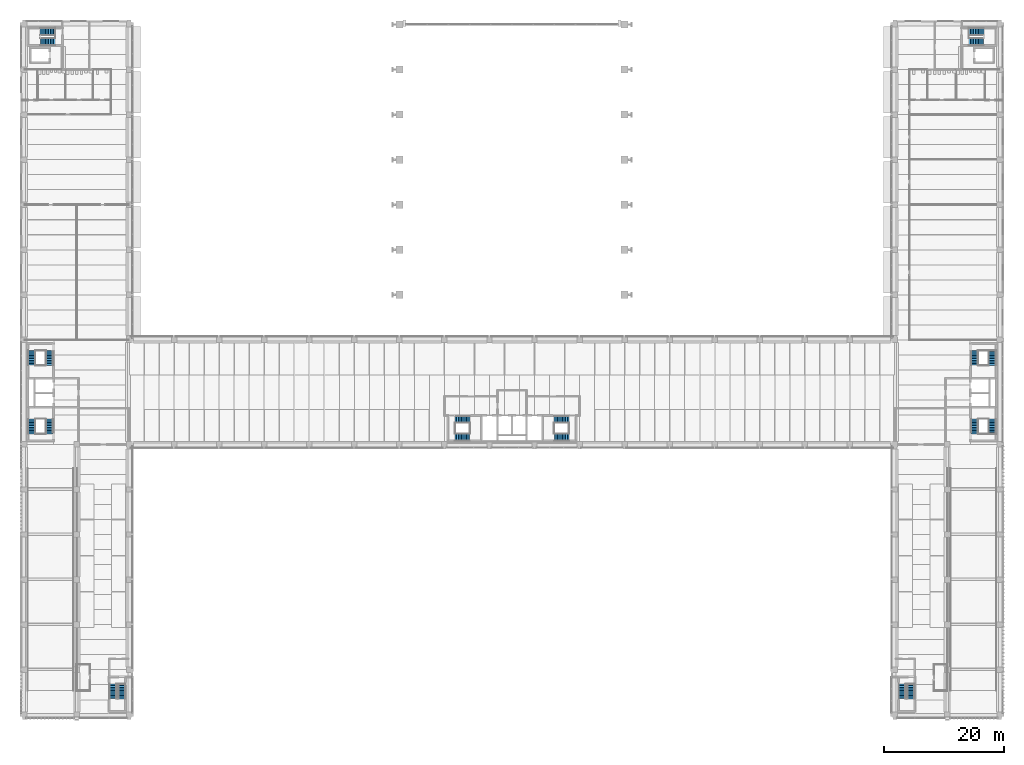
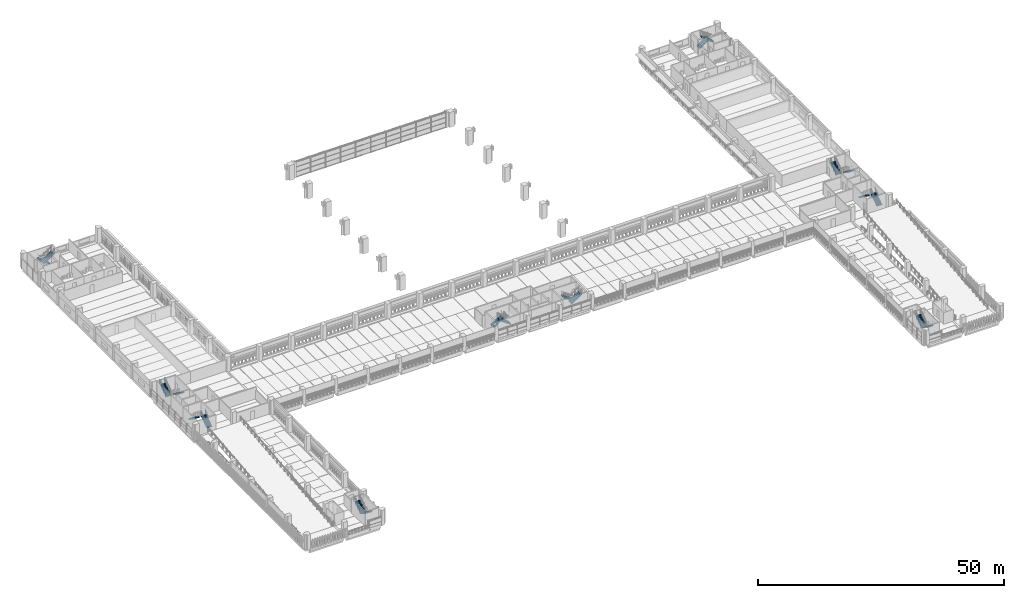
# One storey, part 36 of 57: 20 stair flights, 10 elements without a shape of their own.
"""IFC4 building model written with IfcOpenShell, lengths in metres."""

from ifc_helpers import new_model, si_unit, direction, frame, origin, place, context, subcontext, project, spatial, polyline, outline, extrude, material, type_object, element, aggregate, save


model = new_model("IFC4")

# Units and contexts
model_context = context("Model", 3, precision=1e-05, world=origin(), true_north=direction((0.0, 1.0)))
body_context = subcontext(model_context, "Body", "Model", "MODEL_VIEW")
ifc_project = project(units=[si_unit("LENGTHUNIT", "METRE"), si_unit("AREAUNIT", "SQUARE_METRE"), si_unit("VOLUMEUNIT", "CUBIC_METRE"), si_unit("PLANEANGLEUNIT", "RADIAN"), si_unit("MASSUNIT", "GRAM", prefix="KILO")], contexts=[model_context])

# Site, building, storey
site_placement = place(None, origin())
site = spatial("IfcSite", under=ifc_project, at=site_placement, CompositionType="ELEMENT")
building_placement = place(site_placement, origin())
building = spatial("IfcBuilding", under=site, at=building_placement, Name="Cour d'Honneur Mobility Palace", CompositionType="ELEMENT")
storey_placement = place(building_placement, frame((0.0, 0.0, 8.199951171875)))
storey = spatial("IfcBuildingStorey", under=building, at=storey_placement, Name="L02", CompositionType="ELEMENT", Elevation=8.199951171875)

# Stair, stair flights
ifc_material_1 = material(Name="Concrete C50", Category="concrete")
stair_type = type_object("IfcStairType", Name="Stair 20 risers", PredefinedType="HALF_TURN_STAIR", material=ifc_material_1)
stair_1_placement = place(storey_placement, origin())
stair_1 = element("IfcStair", 1, at=stair_1_placement, inside=storey, type_object=stair_type, Name="Stair ST-CW1", PredefinedType="HALF_TURN_STAIR")
ifc_material_2 = material(Name="Concrete C50", Category="concrete")
stair_flight_type = type_object("IfcStairFlightType", Name="Stair flight 1250", PredefinedType="STRAIGHT", material=ifc_material_2)
stair_flight_1_placement = place(storey_placement, frame((4.175048828125, 46.77490234375, 0.0), z_axis=(0.0, 0.0, 1.0), x_axis=(0.0, 1.0, 0.0)))
stair_flight_1 = element("IfcStairFlight", 2, at=stair_flight_1_placement, type_object=stair_flight_type, Name="ST-CW1 flight 1", NumberOfRisers=10, NumberOfTreads=9, PredefinedType="STRAIGHT", RiserHeight=0.185, TreadLength=0.27, context=body_context, shape_type="SweptSolid", body=[
    extrude(outline(polyline([(0.0, 0.0), (0.0, 0.18505859375), (0.27001953125, 0.18505859375), (0.27001953125, 0.3701171875), (0.5400390625, 0.3701171875), (0.5400390625, 0.554931640625), (0.81005859375, 0.554931640625), (0.81005859375, 0.739990234375), (1.080078125, 0.739990234375), (1.080078125, 0.925048828125), (1.35009765625, 0.925048828125), (1.35009765625, 1.110107421875), (1.6201171875, 1.110107421875), (1.6201171875, 1.294921875), (1.889892578125, 1.294921875), (1.889892578125, 1.47998046875), (2.159912109375, 1.47998046875), (2.159912109375, 1.6650390625), (2.429931640625, 1.6650390625), (2.47998046875, 1.6650390625), (2.47998046875, 1.4833984375), (0.26513671875, 0.0), (0.0, 0.0)])), frame((0.0, 0.625, 0.0), z_axis=(0.0, -1.0, 0.0), x_axis=(1.0, 0.0, 0.0)), (0.0, 0.0, 1.0), 1.25),
])
stair_flight_2_placement = place(storey_placement, frame((1.199951171875, 49.205078125, 1.85009765625), z_axis=(0.0, 0.0, 1.0), x_axis=(0.0, -1.0, 0.0)))
stair_flight_2 = element("IfcStairFlight", 3, at=stair_flight_2_placement, type_object=stair_flight_type, Name="ST-CW1 flight 2", NumberOfRisers=10, NumberOfTreads=9, PredefinedType="STRAIGHT", RiserHeight=0.185, TreadLength=0.27, context=body_context, shape_type="SweptSolid", body=[
    extrude(outline(polyline([(0.0, 0.0), (0.0, 0.18505859375), (0.27001953125, 0.18505859375), (0.27001953125, 0.3701171875), (0.5400390625, 0.3701171875), (0.5400390625, 0.554931640625), (0.81005859375, 0.554931640625), (0.81005859375, 0.739990234375), (1.080078125, 0.739990234375), (1.080078125, 0.925048828125), (1.35009765625, 0.925048828125), (1.35009765625, 1.110107421875), (1.6201171875, 1.110107421875), (1.6201171875, 1.294921875), (1.889892578125, 1.294921875), (1.889892578125, 1.47998046875), (2.159912109375, 1.47998046875), (2.159912109375, 1.6650390625), (2.429931640625, 1.6650390625), (2.47998046875, 1.6650390625), (2.47998046875, 1.4833984375), (0.26513671875, 0.0), (0.0, 0.0)])), frame((0.0, 0.625, 0.0), z_axis=(0.0, -1.0, 0.0), x_axis=(1.0, 0.0, 0.0)), (0.0, 0.0, 1.0), 1.25),
])
aggregate(stair_1, [stair_flight_1, stair_flight_2])

stair_2_placement = place(storey_placement, origin())
stair_2 = element("IfcStair", 4, at=stair_2_placement, inside=storey, type_object=stair_type, Name="Stair ST-CW2", PredefinedType="HALF_TURN_STAIR")
stair_flight_3_placement = place(storey_placement, frame((4.175048828125, 60.625, 0.0), z_axis=(0.0, 0.0, 1.0), x_axis=(0.0, -1.0, 0.0)))
stair_flight_3 = element("IfcStairFlight", 5, at=stair_flight_3_placement, type_object=stair_flight_type, Name="ST-CW2 flight 1", NumberOfRisers=10, NumberOfTreads=9, PredefinedType="STRAIGHT", RiserHeight=0.185, TreadLength=0.27, context=body_context, shape_type="SweptSolid", body=[
    extrude(outline(polyline([(0.0, 0.0), (0.0, 0.18505859375), (0.27001953125, 0.18505859375), (0.27001953125, 0.3701171875), (0.5400390625, 0.3701171875), (0.5400390625, 0.554931640625), (0.81005859375, 0.554931640625), (0.81005859375, 0.739990234375), (1.080078125, 0.739990234375), (1.080078125, 0.925048828125), (1.35009765625, 0.925048828125), (1.35009765625, 1.110107421875), (1.6201171875, 1.110107421875), (1.6201171875, 1.294921875), (1.889892578125, 1.294921875), (1.889892578125, 1.47998046875), (2.159912109375, 1.47998046875), (2.159912109375, 1.6650390625), (2.429931640625, 1.6650390625), (2.47998046875, 1.6650390625), (2.47998046875, 1.4833984375), (0.26513671875, 0.0), (0.0, 0.0)])), frame((0.0, 0.625, 0.0), z_axis=(0.0, -1.0, 0.0), x_axis=(1.0, 0.0, 0.0)), (0.0, 0.0, 1.0), 1.25),
])
stair_flight_4_placement = place(storey_placement, frame((1.199951171875, 58.195068359375, 1.85009765625), z_axis=(0.0, 0.0, 1.0), x_axis=(0.0, 1.0, 0.0)))
stair_flight_4 = element("IfcStairFlight", 6, at=stair_flight_4_placement, type_object=stair_flight_type, Name="ST-CW2 flight 2", NumberOfRisers=10, NumberOfTreads=9, PredefinedType="STRAIGHT", RiserHeight=0.185, TreadLength=0.27, context=body_context, shape_type="SweptSolid", body=[
    extrude(outline(polyline([(0.0, 0.0), (0.0, 0.18505859375), (0.27001953125, 0.18505859375), (0.27001953125, 0.3701171875), (0.5400390625, 0.3701171875), (0.5400390625, 0.554931640625), (0.81005859375, 0.554931640625), (0.81005859375, 0.739990234375), (1.080078125, 0.739990234375), (1.080078125, 0.925048828125), (1.35009765625, 0.925048828125), (1.35009765625, 1.110107421875), (1.6201171875, 1.110107421875), (1.6201171875, 1.294921875), (1.889892578125, 1.294921875), (1.889892578125, 1.47998046875), (2.159912109375, 1.47998046875), (2.159912109375, 1.6650390625), (2.429931640625, 1.6650390625), (2.47998046875, 1.6650390625), (2.47998046875, 1.4833984375), (0.26513671875, 0.0), (0.0, 0.0)])), frame((0.0, 0.625, 0.0), z_axis=(0.0, -1.0, 0.0), x_axis=(1.0, 0.0, 0.0)), (0.0, 0.0, 1.0), 1.25),
])
aggregate(stair_2, [stair_flight_3, stair_flight_4])

stair_3_placement = place(storey_placement, origin())
stair_3 = element("IfcStair", 7, at=stair_3_placement, inside=storey, type_object=stair_type, Name="Stair ST-CE1", PredefinedType="HALF_TURN_STAIR")
stair_flight_5_placement = place(storey_placement, frame((161.10009765625, 46.77490234375, 0.0), z_axis=(0.0, 0.0, 1.0), x_axis=(0.0, 1.0, 0.0)))
stair_flight_5 = element("IfcStairFlight", 8, at=stair_flight_5_placement, type_object=stair_flight_type, Name="ST-CE1 flight 1", NumberOfRisers=10, NumberOfTreads=9, PredefinedType="STRAIGHT", RiserHeight=0.185, TreadLength=0.27, context=body_context, shape_type="SweptSolid", body=[
    extrude(outline(polyline([(0.0, 0.0), (0.0, 0.18505859375), (0.27001953125, 0.18505859375), (0.27001953125, 0.3701171875), (0.5400390625, 0.3701171875), (0.5400390625, 0.554931640625), (0.81005859375, 0.554931640625), (0.81005859375, 0.739990234375), (1.080078125, 0.739990234375), (1.080078125, 0.925048828125), (1.35009765625, 0.925048828125), (1.35009765625, 1.110107421875), (1.6201171875, 1.110107421875), (1.6201171875, 1.294921875), (1.889892578125, 1.294921875), (1.889892578125, 1.47998046875), (2.159912109375, 1.47998046875), (2.159912109375, 1.6650390625), (2.429931640625, 1.6650390625), (2.47998046875, 1.6650390625), (2.47998046875, 1.4833984375), (0.26513671875, 0.0), (0.0, 0.0)])), frame((0.0, 0.625, 0.0), z_axis=(0.0, -1.0, 0.0), x_axis=(1.0, 0.0, 0.0)), (0.0, 0.0, 1.0), 1.25),
])
stair_flight_6_placement = place(storey_placement, frame((158.125, 49.205078125, 1.85009765625), z_axis=(0.0, 0.0, 1.0), x_axis=(0.0, -1.0, 0.0)))
stair_flight_6 = element("IfcStairFlight", 9, at=stair_flight_6_placement, type_object=stair_flight_type, Name="ST-CE1 flight 2", NumberOfRisers=10, NumberOfTreads=9, PredefinedType="STRAIGHT", RiserHeight=0.185, TreadLength=0.27, context=body_context, shape_type="SweptSolid", body=[
    extrude(outline(polyline([(0.0, 0.0), (0.0, 0.18505859375), (0.27001953125, 0.18505859375), (0.27001953125, 0.3701171875), (0.5400390625, 0.3701171875), (0.5400390625, 0.554931640625), (0.81005859375, 0.554931640625), (0.81005859375, 0.739990234375), (1.080078125, 0.739990234375), (1.080078125, 0.925048828125), (1.35009765625, 0.925048828125), (1.35009765625, 1.110107421875), (1.6201171875, 1.110107421875), (1.6201171875, 1.294921875), (1.889892578125, 1.294921875), (1.889892578125, 1.47998046875), (2.159912109375, 1.47998046875), (2.159912109375, 1.6650390625), (2.429931640625, 1.6650390625), (2.47998046875, 1.6650390625), (2.47998046875, 1.4833984375), (0.26513671875, 0.0), (0.0, 0.0)])), frame((0.0, 0.625, 0.0), z_axis=(0.0, -1.0, 0.0), x_axis=(1.0, 0.0, 0.0)), (0.0, 0.0, 1.0), 1.25),
])
aggregate(stair_3, [stair_flight_5, stair_flight_6])

stair_4_placement = place(storey_placement, origin())
stair_4 = element("IfcStair", 10, at=stair_4_placement, inside=storey, type_object=stair_type, Name="Stair ST-CE2", PredefinedType="HALF_TURN_STAIR")
stair_flight_7_placement = place(storey_placement, frame((161.10009765625, 60.625, 0.0), z_axis=(0.0, 0.0, 1.0), x_axis=(0.0, -1.0, 0.0)))
stair_flight_7 = element("IfcStairFlight", 11, at=stair_flight_7_placement, type_object=stair_flight_type, Name="ST-CE2 flight 1", NumberOfRisers=10, NumberOfTreads=9, PredefinedType="STRAIGHT", RiserHeight=0.185, TreadLength=0.27, context=body_context, shape_type="SweptSolid", body=[
    extrude(outline(polyline([(0.0, 0.0), (0.0, 0.18505859375), (0.27001953125, 0.18505859375), (0.27001953125, 0.3701171875), (0.5400390625, 0.3701171875), (0.5400390625, 0.554931640625), (0.81005859375, 0.554931640625), (0.81005859375, 0.739990234375), (1.080078125, 0.739990234375), (1.080078125, 0.925048828125), (1.35009765625, 0.925048828125), (1.35009765625, 1.110107421875), (1.6201171875, 1.110107421875), (1.6201171875, 1.294921875), (1.889892578125, 1.294921875), (1.889892578125, 1.47998046875), (2.159912109375, 1.47998046875), (2.159912109375, 1.6650390625), (2.429931640625, 1.6650390625), (2.47998046875, 1.6650390625), (2.47998046875, 1.4833984375), (0.26513671875, 0.0), (0.0, 0.0)])), frame((0.0, 0.625, 0.0), z_axis=(0.0, -1.0, 0.0), x_axis=(1.0, 0.0, 0.0)), (0.0, 0.0, 1.0), 1.25),
])
stair_flight_8_placement = place(storey_placement, frame((158.125, 58.195068359375, 1.85009765625), z_axis=(0.0, 0.0, 1.0), x_axis=(0.0, 1.0, 0.0)))
stair_flight_8 = element("IfcStairFlight", 12, at=stair_flight_8_placement, type_object=stair_flight_type, Name="ST-CE2 flight 2", NumberOfRisers=10, NumberOfTreads=9, PredefinedType="STRAIGHT", RiserHeight=0.185, TreadLength=0.27, context=body_context, shape_type="SweptSolid", body=[
    extrude(outline(polyline([(0.0, 0.0), (0.0, 0.18505859375), (0.27001953125, 0.18505859375), (0.27001953125, 0.3701171875), (0.5400390625, 0.3701171875), (0.5400390625, 0.554931640625), (0.81005859375, 0.554931640625), (0.81005859375, 0.739990234375), (1.080078125, 0.739990234375), (1.080078125, 0.925048828125), (1.35009765625, 0.925048828125), (1.35009765625, 1.110107421875), (1.6201171875, 1.110107421875), (1.6201171875, 1.294921875), (1.889892578125, 1.294921875), (1.889892578125, 1.47998046875), (2.159912109375, 1.47998046875), (2.159912109375, 1.6650390625), (2.429931640625, 1.6650390625), (2.47998046875, 1.6650390625), (2.47998046875, 1.4833984375), (0.26513671875, 0.0), (0.0, 0.0)])), frame((0.0, 0.625, 0.0), z_axis=(0.0, -1.0, 0.0), x_axis=(1.0, 0.0, 0.0)), (0.0, 0.0, 1.0), 1.25),
])
aggregate(stair_4, [stair_flight_7, stair_flight_8])

stair_5_placement = place(storey_placement, origin())
stair_5 = element("IfcStair", 13, at=stair_5_placement, inside=storey, type_object=stair_type, Name="Stair ST-CC1", PredefinedType="HALF_TURN_STAIR")
stair_flight_9_placement = place(storey_placement, frame((71.675048828125, 49.175048828125, 0.0), z_axis=(0.0, 0.0, 1.0), x_axis=(1.0, 0.0, 0.0)))
stair_flight_9 = element("IfcStairFlight", 14, at=stair_flight_9_placement, type_object=stair_flight_type, Name="ST-CC1 flight 1", NumberOfRisers=10, NumberOfTreads=9, PredefinedType="STRAIGHT", RiserHeight=0.185, TreadLength=0.27, context=body_context, shape_type="SweptSolid", body=[
    extrude(outline(polyline([(0.0, 0.0), (0.0, 0.18505859375), (0.27001953125, 0.18505859375), (0.27001953125, 0.3701171875), (0.5400390625, 0.3701171875), (0.5400390625, 0.554931640625), (0.81005859375, 0.554931640625), (0.81005859375, 0.739990234375), (1.080078125, 0.739990234375), (1.080078125, 0.925048828125), (1.35009765625, 0.925048828125), (1.35009765625, 1.110107421875), (1.6201171875, 1.110107421875), (1.6201171875, 1.294921875), (1.889892578125, 1.294921875), (1.889892578125, 1.47998046875), (2.159912109375, 1.47998046875), (2.159912109375, 1.6650390625), (2.429931640625, 1.6650390625), (2.47998046875, 1.6650390625), (2.47998046875, 1.4833984375), (0.26513671875, 0.0), (0.0, 0.0)])), frame((0.0, 0.625, 0.0), z_axis=(0.0, -1.0, 0.0), x_axis=(1.0, 0.0, 0.0)), (0.0, 0.0, 1.0), 1.25),
])
stair_flight_10_placement = place(storey_placement, frame((74.10498046875, 46.199951171875, 1.85009765625), z_axis=(0.0, 0.0, 1.0), x_axis=(-1.0, 0.0, 0.0)))
stair_flight_10 = element("IfcStairFlight", 15, at=stair_flight_10_placement, type_object=stair_flight_type, Name="ST-CC1 flight 2", NumberOfRisers=10, NumberOfTreads=9, PredefinedType="STRAIGHT", RiserHeight=0.185, TreadLength=0.27, context=body_context, shape_type="SweptSolid", body=[
    extrude(outline(polyline([(0.0, 0.0), (0.0, 0.18505859375), (0.27001953125, 0.18505859375), (0.27001953125, 0.3701171875), (0.5400390625, 0.3701171875), (0.5400390625, 0.554931640625), (0.81005859375, 0.554931640625), (0.81005859375, 0.739990234375), (1.080078125, 0.739990234375), (1.080078125, 0.925048828125), (1.35009765625, 0.925048828125), (1.35009765625, 1.110107421875), (1.6201171875, 1.110107421875), (1.6201171875, 1.294921875), (1.889892578125, 1.294921875), (1.889892578125, 1.47998046875), (2.159912109375, 1.47998046875), (2.159912109375, 1.6650390625), (2.429931640625, 1.6650390625), (2.47998046875, 1.6650390625), (2.47998046875, 1.4833984375), (0.26513671875, 0.0), (0.0, 0.0)])), frame((0.0, 0.625, 0.0), z_axis=(0.0, -1.0, 0.0), x_axis=(1.0, 0.0, 0.0)), (0.0, 0.0, 1.0), 1.25),
])
aggregate(stair_5, [stair_flight_9, stair_flight_10])

stair_6_placement = place(storey_placement, origin())
stair_6 = element("IfcStair", 16, at=stair_6_placement, inside=storey, type_object=stair_type, Name="Stair ST-CC2", PredefinedType="HALF_TURN_STAIR")
stair_flight_11_placement = place(storey_placement, frame((90.625, 49.175048828125, 0.0), z_axis=(0.0, 0.0, 1.0), x_axis=(-1.0, 0.0, 0.0)))
stair_flight_11 = element("IfcStairFlight", 17, at=stair_flight_11_placement, type_object=stair_flight_type, Name="ST-CC2 flight 1", NumberOfRisers=10, NumberOfTreads=9, PredefinedType="STRAIGHT", RiserHeight=0.185, TreadLength=0.27, context=body_context, shape_type="SweptSolid", body=[
    extrude(outline(polyline([(0.0, 0.0), (0.0, 0.18505859375), (0.27001953125, 0.18505859375), (0.27001953125, 0.3701171875), (0.5400390625, 0.3701171875), (0.5400390625, 0.554931640625), (0.81005859375, 0.554931640625), (0.81005859375, 0.739990234375), (1.080078125, 0.739990234375), (1.080078125, 0.925048828125), (1.35009765625, 0.925048828125), (1.35009765625, 1.110107421875), (1.6201171875, 1.110107421875), (1.6201171875, 1.294921875), (1.889892578125, 1.294921875), (1.889892578125, 1.47998046875), (2.159912109375, 1.47998046875), (2.159912109375, 1.6650390625), (2.429931640625, 1.6650390625), (2.47998046875, 1.6650390625), (2.47998046875, 1.4833984375), (0.26513671875, 0.0), (0.0, 0.0)])), frame((0.0, 0.625, 0.0), z_axis=(0.0, -1.0, 0.0), x_axis=(1.0, 0.0, 0.0)), (0.0, 0.0, 1.0), 1.25),
])
stair_flight_12_placement = place(storey_placement, frame((88.195068359375, 46.199951171875, 1.85009765625), z_axis=(0.0, 0.0, 1.0), x_axis=(1.0, 0.0, 0.0)))
stair_flight_12 = element("IfcStairFlight", 18, at=stair_flight_12_placement, type_object=stair_flight_type, Name="ST-CC2 flight 2", NumberOfRisers=10, NumberOfTreads=9, PredefinedType="STRAIGHT", RiserHeight=0.185, TreadLength=0.27, context=body_context, shape_type="SweptSolid", body=[
    extrude(outline(polyline([(0.0, 0.0), (0.0, 0.18505859375), (0.27001953125, 0.18505859375), (0.27001953125, 0.3701171875), (0.5400390625, 0.3701171875), (0.5400390625, 0.554931640625), (0.81005859375, 0.554931640625), (0.81005859375, 0.739990234375), (1.080078125, 0.739990234375), (1.080078125, 0.925048828125), (1.35009765625, 0.925048828125), (1.35009765625, 1.110107421875), (1.6201171875, 1.110107421875), (1.6201171875, 1.294921875), (1.889892578125, 1.294921875), (1.889892578125, 1.47998046875), (2.159912109375, 1.47998046875), (2.159912109375, 1.6650390625), (2.429931640625, 1.6650390625), (2.47998046875, 1.6650390625), (2.47998046875, 1.4833984375), (0.26513671875, 0.0), (0.0, 0.0)])), frame((0.0, 0.625, 0.0), z_axis=(0.0, -1.0, 0.0), x_axis=(1.0, 0.0, 0.0)), (0.0, 0.0, 1.0), 1.25),
])
aggregate(stair_6, [stair_flight_11, stair_flight_12])

stair_7_placement = place(storey_placement, origin())
stair_7 = element("IfcStair", 19, at=stair_7_placement, inside=storey, type_object=stair_type, Name="Stair ST-NW1", PredefinedType="HALF_TURN_STAIR")
stair_flight_13_placement = place(storey_placement, frame((5.10009765625, 113.699951171875, 0.0), z_axis=(0.0, 0.0, 1.0), x_axis=(-1.0, 0.0, 0.0)))
stair_flight_13 = element("IfcStairFlight", 20, at=stair_flight_13_placement, type_object=stair_flight_type, Name="ST-NW1 flight 1", NumberOfRisers=10, NumberOfTreads=9, PredefinedType="STRAIGHT", RiserHeight=0.185, TreadLength=0.27, context=body_context, shape_type="SweptSolid", body=[
    extrude(outline(polyline([(0.0, 0.0), (0.0, 0.18505859375), (0.27001953125, 0.18505859375), (0.27001953125, 0.3701171875), (0.5400390625, 0.3701171875), (0.5400390625, 0.554931640625), (0.81005859375, 0.554931640625), (0.81005859375, 0.739990234375), (1.080078125, 0.739990234375), (1.080078125, 0.925048828125), (1.35009765625, 0.925048828125), (1.35009765625, 1.110107421875), (1.6201171875, 1.110107421875), (1.6201171875, 1.294921875), (1.889892578125, 1.294921875), (1.889892578125, 1.47998046875), (2.159912109375, 1.47998046875), (2.159912109375, 1.6650390625), (2.429931640625, 1.6650390625), (2.47998046875, 1.6650390625), (2.47998046875, 1.4833984375), (0.26513671875, 0.0), (0.0, 0.0)])), frame((0.0, 0.625, 0.0), z_axis=(0.0, -1.0, 0.0), x_axis=(1.0, 0.0, 0.0)), (0.0, 0.0, 1.0), 1.25),
])
stair_flight_14_placement = place(storey_placement, frame((2.669921875, 112.02490234375, 1.85009765625), z_axis=(0.0, 0.0, 1.0), x_axis=(1.0, 0.0, 0.0)))
stair_flight_14 = element("IfcStairFlight", 21, at=stair_flight_14_placement, type_object=stair_flight_type, Name="ST-NW1 flight 2", NumberOfRisers=10, NumberOfTreads=9, PredefinedType="STRAIGHT", RiserHeight=0.185, TreadLength=0.27, context=body_context, shape_type="SweptSolid", body=[
    extrude(outline(polyline([(0.0, 0.0), (0.0, 0.18505859375), (0.27001953125, 0.18505859375), (0.27001953125, 0.3701171875), (0.5400390625, 0.3701171875), (0.5400390625, 0.554931640625), (0.81005859375, 0.554931640625), (0.81005859375, 0.739990234375), (1.080078125, 0.739990234375), (1.080078125, 0.925048828125), (1.35009765625, 0.925048828125), (1.35009765625, 1.110107421875), (1.6201171875, 1.110107421875), (1.6201171875, 1.294921875), (1.889892578125, 1.294921875), (1.889892578125, 1.47998046875), (2.159912109375, 1.47998046875), (2.159912109375, 1.6650390625), (2.429931640625, 1.6650390625), (2.47998046875, 1.6650390625), (2.47998046875, 1.4833984375), (0.26513671875, 0.0), (0.0, 0.0)])), frame((0.0, 0.625, 0.0), z_axis=(0.0, -1.0, 0.0), x_axis=(1.0, 0.0, 0.0)), (0.0, 0.0, 1.0), 1.25),
])
aggregate(stair_7, [stair_flight_13, stair_flight_14])

stair_8_placement = place(storey_placement, origin())
stair_8 = element("IfcStair", 22, at=stair_8_placement, inside=storey, type_object=stair_type, Name="Stair ST-NE1", PredefinedType="HALF_TURN_STAIR")
stair_flight_15_placement = place(storey_placement, frame((157.199951171875, 113.699951171875, 0.0), z_axis=(0.0, 0.0, 1.0), x_axis=(1.0, 0.0, 0.0)))
stair_flight_15 = element("IfcStairFlight", 23, at=stair_flight_15_placement, type_object=stair_flight_type, Name="ST-NE1 flight 1", NumberOfRisers=10, NumberOfTreads=9, PredefinedType="STRAIGHT", RiserHeight=0.185, TreadLength=0.27, context=body_context, shape_type="SweptSolid", body=[
    extrude(outline(polyline([(0.0, 0.0), (0.0, 0.18505859375), (0.27001953125, 0.18505859375), (0.27001953125, 0.3701171875), (0.5400390625, 0.3701171875), (0.5400390625, 0.554931640625), (0.81005859375, 0.554931640625), (0.81005859375, 0.739990234375), (1.080078125, 0.739990234375), (1.080078125, 0.925048828125), (1.35009765625, 0.925048828125), (1.35009765625, 1.110107421875), (1.6201171875, 1.110107421875), (1.6201171875, 1.294921875), (1.889892578125, 1.294921875), (1.889892578125, 1.47998046875), (2.159912109375, 1.47998046875), (2.159912109375, 1.6650390625), (2.429931640625, 1.6650390625), (2.47998046875, 1.6650390625), (2.47998046875, 1.4833984375), (0.26513671875, 0.0), (0.0, 0.0)])), frame((0.0, 0.625, 0.0), z_axis=(0.0, -1.0, 0.0), x_axis=(1.0, 0.0, 0.0)), (0.0, 0.0, 1.0), 1.25),
])
stair_flight_16_placement = place(storey_placement, frame((159.6298828125, 112.02490234375, 1.85009765625), z_axis=(0.0, 0.0, 1.0), x_axis=(-1.0, 0.0, 0.0)))
stair_flight_16 = element("IfcStairFlight", 24, at=stair_flight_16_placement, type_object=stair_flight_type, Name="ST-NE1 flight 2", NumberOfRisers=10, NumberOfTreads=9, PredefinedType="STRAIGHT", RiserHeight=0.185, TreadLength=0.27, context=body_context, shape_type="SweptSolid", body=[
    extrude(outline(polyline([(0.0, 0.0), (0.0, 0.18505859375), (0.27001953125, 0.18505859375), (0.27001953125, 0.3701171875), (0.5400390625, 0.3701171875), (0.5400390625, 0.554931640625), (0.81005859375, 0.554931640625), (0.81005859375, 0.739990234375), (1.080078125, 0.739990234375), (1.080078125, 0.925048828125), (1.35009765625, 0.925048828125), (1.35009765625, 1.110107421875), (1.6201171875, 1.110107421875), (1.6201171875, 1.294921875), (1.889892578125, 1.294921875), (1.889892578125, 1.47998046875), (2.159912109375, 1.47998046875), (2.159912109375, 1.6650390625), (2.429931640625, 1.6650390625), (2.47998046875, 1.6650390625), (2.47998046875, 1.4833984375), (0.26513671875, 0.0), (0.0, 0.0)])), frame((0.0, 0.625, 0.0), z_axis=(0.0, -1.0, 0.0), x_axis=(1.0, 0.0, 0.0)), (0.0, 0.0, 1.0), 1.25),
])
aggregate(stair_8, [stair_flight_15, stair_flight_16])

stair_9_placement = place(storey_placement, origin())
stair_9 = element("IfcStair", 25, at=stair_9_placement, inside=storey, type_object=stair_type, Name="Stair ST-RW1", PredefinedType="HALF_TURN_STAIR")
stair_flight_17_placement = place(storey_placement, frame((16.199951171875, 5.10009765625, 0.0), z_axis=(0.0, 0.0, 1.0), x_axis=(0.0, -1.0, 0.0)))
stair_flight_17 = element("IfcStairFlight", 26, at=stair_flight_17_placement, type_object=stair_flight_type, Name="ST-RW1 flight 1", NumberOfRisers=10, NumberOfTreads=9, PredefinedType="STRAIGHT", RiserHeight=0.185, TreadLength=0.27, context=body_context, shape_type="SweptSolid", body=[
    extrude(outline(polyline([(0.0, 0.0), (0.0, 0.18505859375), (0.27001953125, 0.18505859375), (0.27001953125, 0.3701171875), (0.5400390625, 0.3701171875), (0.5400390625, 0.554931640625), (0.81005859375, 0.554931640625), (0.81005859375, 0.739990234375), (1.080078125, 0.739990234375), (1.080078125, 0.925048828125), (1.35009765625, 0.925048828125), (1.35009765625, 1.110107421875), (1.6201171875, 1.110107421875), (1.6201171875, 1.294921875), (1.889892578125, 1.294921875), (1.889892578125, 1.47998046875), (2.159912109375, 1.47998046875), (2.159912109375, 1.6650390625), (2.429931640625, 1.6650390625), (2.47998046875, 1.6650390625), (2.47998046875, 1.4833984375), (0.26513671875, 0.0), (0.0, 0.0)])), frame((0.0, 0.625, 0.0), z_axis=(0.0, -1.0, 0.0), x_axis=(1.0, 0.0, 0.0)), (0.0, 0.0, 1.0), 1.25),
])
stair_flight_18_placement = place(storey_placement, frame((14.72509765625, 2.669921875, 1.85009765625), z_axis=(0.0, 0.0, 1.0), x_axis=(0.0, 1.0, 0.0)))
stair_flight_18 = element("IfcStairFlight", 27, at=stair_flight_18_placement, type_object=stair_flight_type, Name="ST-RW1 flight 2", NumberOfRisers=10, NumberOfTreads=9, PredefinedType="STRAIGHT", RiserHeight=0.185, TreadLength=0.27, context=body_context, shape_type="SweptSolid", body=[
    extrude(outline(polyline([(0.0, 0.0), (0.0, 0.18505859375), (0.27001953125, 0.18505859375), (0.27001953125, 0.3701171875), (0.5400390625, 0.3701171875), (0.5400390625, 0.554931640625), (0.81005859375, 0.554931640625), (0.81005859375, 0.739990234375), (1.080078125, 0.739990234375), (1.080078125, 0.925048828125), (1.35009765625, 0.925048828125), (1.35009765625, 1.110107421875), (1.6201171875, 1.110107421875), (1.6201171875, 1.294921875), (1.889892578125, 1.294921875), (1.889892578125, 1.47998046875), (2.159912109375, 1.47998046875), (2.159912109375, 1.6650390625), (2.429931640625, 1.6650390625), (2.47998046875, 1.6650390625), (2.47998046875, 1.4833984375), (0.26513671875, 0.0), (0.0, 0.0)])), frame((0.0, 0.625, 0.0), z_axis=(0.0, -1.0, 0.0), x_axis=(1.0, 0.0, 0.0)), (0.0, 0.0, 1.0), 1.25),
])
aggregate(stair_9, [stair_flight_17, stair_flight_18])

stair_10_placement = place(storey_placement, origin())
stair_10 = element("IfcStair", 28, at=stair_10_placement, inside=storey, type_object=stair_type, Name="Stair ST-RE1", PredefinedType="HALF_TURN_STAIR")
stair_flight_19_placement = place(storey_placement, frame((147.574951171875, 5.10009765625, 0.0), z_axis=(0.0, 0.0, 1.0), x_axis=(0.0, -1.0, 0.0)))
stair_flight_19 = element("IfcStairFlight", 29, at=stair_flight_19_placement, type_object=stair_flight_type, Name="ST-RE1 flight 1", NumberOfRisers=10, NumberOfTreads=9, PredefinedType="STRAIGHT", RiserHeight=0.185, TreadLength=0.27, context=body_context, shape_type="SweptSolid", body=[
    extrude(outline(polyline([(0.0, 0.0), (0.0, 0.18505859375), (0.27001953125, 0.18505859375), (0.27001953125, 0.3701171875), (0.5400390625, 0.3701171875), (0.5400390625, 0.554931640625), (0.81005859375, 0.554931640625), (0.81005859375, 0.739990234375), (1.080078125, 0.739990234375), (1.080078125, 0.925048828125), (1.35009765625, 0.925048828125), (1.35009765625, 1.110107421875), (1.6201171875, 1.110107421875), (1.6201171875, 1.294921875), (1.889892578125, 1.294921875), (1.889892578125, 1.47998046875), (2.159912109375, 1.47998046875), (2.159912109375, 1.6650390625), (2.429931640625, 1.6650390625), (2.47998046875, 1.6650390625), (2.47998046875, 1.4833984375), (0.26513671875, 0.0), (0.0, 0.0)])), frame((0.0, 0.625, 0.0), z_axis=(0.0, -1.0, 0.0), x_axis=(1.0, 0.0, 0.0)), (0.0, 0.0, 1.0), 1.25),
])
stair_flight_20_placement = place(storey_placement, frame((146.10009765625, 2.669921875, 1.85009765625), z_axis=(0.0, 0.0, 1.0), x_axis=(0.0, 1.0, 0.0)))
stair_flight_20 = element("IfcStairFlight", 30, at=stair_flight_20_placement, type_object=stair_flight_type, Name="ST-RE1 flight 2", NumberOfRisers=10, NumberOfTreads=9, PredefinedType="STRAIGHT", RiserHeight=0.185, TreadLength=0.27, context=body_context, shape_type="SweptSolid", body=[
    extrude(outline(polyline([(0.0, 0.0), (0.0, 0.18505859375), (0.27001953125, 0.18505859375), (0.27001953125, 0.3701171875), (0.5400390625, 0.3701171875), (0.5400390625, 0.554931640625), (0.81005859375, 0.554931640625), (0.81005859375, 0.739990234375), (1.080078125, 0.739990234375), (1.080078125, 0.925048828125), (1.35009765625, 0.925048828125), (1.35009765625, 1.110107421875), (1.6201171875, 1.110107421875), (1.6201171875, 1.294921875), (1.889892578125, 1.294921875), (1.889892578125, 1.47998046875), (2.159912109375, 1.47998046875), (2.159912109375, 1.6650390625), (2.429931640625, 1.6650390625), (2.47998046875, 1.6650390625), (2.47998046875, 1.4833984375), (0.26513671875, 0.0), (0.0, 0.0)])), frame((0.0, 0.625, 0.0), z_axis=(0.0, -1.0, 0.0), x_axis=(1.0, 0.0, 0.0)), (0.0, 0.0, 1.0), 1.25),
])
aggregate(stair_10, [stair_flight_19, stair_flight_20])

save(model, "model.ifc")
